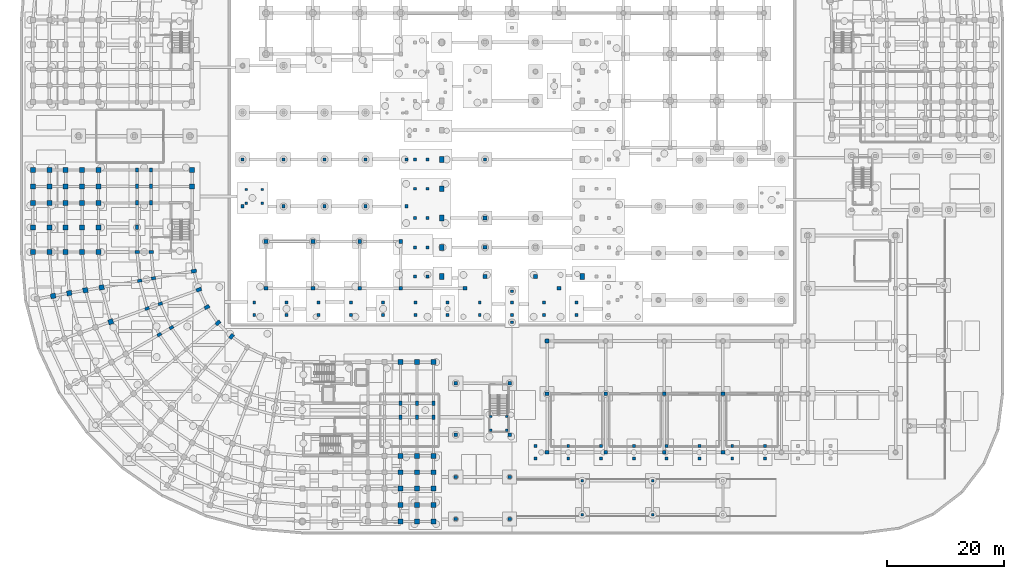
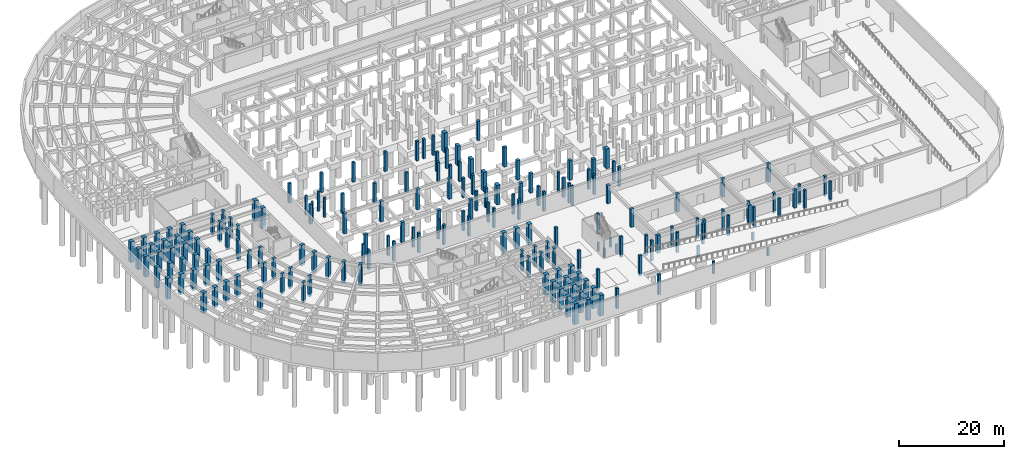
# One storey, part 13 of 53: 186 columns.
"""IFC4 building model written with IfcOpenShell, lengths in metres."""

import ifcopenshell
import ifcopenshell.guid

model = None  # the IFC model being written
_history = None  # IfcOwnerHistory: only IFC2X3 demands one
_inside = {}  # id of a spatial element -> (the spatial element, [elements in it])
_under = {}  # id of a project, library or spatial element -> (it, [spatial elements below it])
_declared = {}  # id of a project -> (the project, [libraries it declares])
_typed = {}  # id of a type object -> (the type object, [elements of that type])
_made_of = {}  # id of a material, layer set ... -> (it, [elements and type objects made of it])


def new_model(schema):
    """Start an empty IFC model of exactly this schema.

    Asked for "IFC4X3", IfcOpenShell would pick the latest addendum, in which some entities
    have other attributes; the version numbers below select the first issue.
    IFC2X3 requires an IfcOwnerHistory on every rooted entity: one is made here for all.
    """
    global model, _history
    if schema == "IFC4X3":
        model = ifcopenshell.file(schema_version=(4, 3, 0, 0))
    else:
        model = ifcopenshell.file(schema=schema)
    _inside.clear()
    _under.clear()
    _declared.clear()
    _typed.clear()
    _made_of.clear()
    _history = None
    if model.schema == "IFC2X3":
        org = make("IfcOrganization", Name="unknown")
        user = make(
            "IfcPersonAndOrganization",
            ThePerson=make("IfcPerson", FamilyName="unknown"),
            TheOrganization=org,
        )
        app = make(
            "IfcApplication",
            ApplicationDeveloper=org,
            Version="unknown",
            ApplicationFullName="unknown",
            ApplicationIdentifier="unknown",
        )
        _history = make(
            "IfcOwnerHistory",
            OwningUser=user,
            OwningApplication=app,
            ChangeAction="ADDED",
            CreationDate=0,
        )
    return model


def make(cls, **values):
    """One entity of the class cls with the attributes given. An attribute that is None is left unset."""
    return model.create_entity(
        cls, **{name: value for name, value in values.items() if value is not None}
    )


def rooted(cls, **values):
    """An entity with a GlobalId (a new one), such as an element, a storey or a relation."""
    return make(cls, GlobalId=ifcopenshell.guid.new(), OwnerHistory=_history, **values)


def si_unit(unit_type, name, prefix=None):
    """IfcSIUnit, for example si_unit("LENGTHUNIT", "METRE", prefix="MILLI")."""
    return make("IfcSIUnit", UnitType=unit_type, Prefix=prefix, Name=name)


def assignment(units):
    """IfcUnitAssignment: the units of a project."""
    return None if units is None else make("IfcUnitAssignment", Units=units)


def point(xyz):
    """IfcCartesianPoint."""
    return None if xyz is None else make("IfcCartesianPoint", Coordinates=xyz)


def direction(xyz):
    """IfcDirection."""
    return None if xyz is None else make("IfcDirection", DirectionRatios=xyz)


def frame(location, z_axis=None, x_axis=None):
    """IfcAxis2Placement3D, a coordinate frame: its origin and axes. An axis left out is left unset."""
    return make(
        "IfcAxis2Placement3D",
        Location=point(location),
        Axis=direction(z_axis),
        RefDirection=direction(x_axis),
    )


def frame_2d(location, x_axis=None):
    """IfcAxis2Placement2D, a coordinate frame in the plane: its origin and x axis."""
    return make(
        "IfcAxis2Placement2D", Location=point(location), RefDirection=direction(x_axis)
    )


def origin():
    """The frame at (0, 0, 0) with its axes left unset."""
    return frame((0.0, 0.0, 0.0))


def origin_2d():
    """The frame at (0, 0) in the plane with its x axis left unset."""
    return frame_2d((0.0, 0.0))


def place(relative_to, where):
    """IfcLocalPlacement: puts the frame where relative to a parent placement (None: the world)."""
    return make(
        "IfcLocalPlacement", PlacementRelTo=relative_to, RelativePlacement=where
    )


def context(
    kind, dimensions, precision=None, world=None, true_north=None, identifier=None
):
    """IfcGeometricRepresentationContext, for example the 3D "Model" context."""
    return make(
        "IfcGeometricRepresentationContext",
        ContextIdentifier=identifier,
        ContextType=kind,
        CoordinateSpaceDimension=dimensions,
        Precision=precision,
        WorldCoordinateSystem=world,
        TrueNorth=true_north,
    )


def subcontext(parent, identifier, kind, view, scale=None):
    """IfcGeometricRepresentationSubContext, for example "Body" below "Model"."""
    return make(
        "IfcGeometricRepresentationSubContext",
        ContextIdentifier=identifier,
        ContextType=kind,
        ParentContext=parent,
        TargetScale=scale,
        TargetView=view,
    )


def project(units=None, contexts=None):
    """IfcProject with its units and contexts."""
    return rooted(
        "IfcProject",
        Name="project",
        RepresentationContexts=contexts,
        UnitsInContext=assignment(units),
    )


def spatial(cls, under=None, at=None, **own):
    """A site, building, storey or space (cls), placed at a placement, below another one or the project."""
    s = rooted(cls, ObjectPlacement=at, **own)
    if under is not None:
        _under.setdefault(under.id(), (under, []))[1].append(s)
    return s


def profile(cls, at=None, kind="AREA", **sizes):
    """A parametric profile (cls). Its sizes go by their IFC names, for example OverallWidth=200.0."""
    return make(cls, ProfileType=kind, Position=at, **sizes)


def rectangle(**sizes):
    """IfcRectangleProfileDef."""
    return profile("IfcRectangleProfileDef", **sizes)


def extrude(swept, where, along, depth):
    """IfcExtrudedAreaSolid: the profile swept, set in the frame where, extruded along a direction by depth."""
    return make(
        "IfcExtrudedAreaSolid",
        SweptArea=swept,
        Position=where,
        ExtrudedDirection=direction(along),
        Depth=depth,
    )


def shape(context_of_items, identifier, shape_type, items):
    """IfcShapeRepresentation: the items that make up one representation, for example the "Body"."""
    return make(
        "IfcShapeRepresentation",
        ContextOfItems=context_of_items,
        RepresentationIdentifier=identifier,
        RepresentationType=shape_type,
        Items=items,
    )


def material(Name=None, Category=None):
    """IfcMaterial."""
    return make("IfcMaterial", Name=Name, Category=Category)


def material_profile(
    of_material, cross_section, Name=None, Category=None, Priority=None
):
    """IfcMaterialProfile: a cross section and its material."""
    return make(
        "IfcMaterialProfile",
        Name=Name,
        Material=of_material,
        Profile=cross_section,
        Priority=Priority,
        Category=Category,
    )


def profile_set(profiles, Name=None, composite=None):
    """IfcMaterialProfileSet."""
    return make(
        "IfcMaterialProfileSet",
        Name=Name,
        MaterialProfiles=profiles,
        CompositeProfile=composite,
    )


def made_of(thing, what):
    """Note that an element or type object is made of a material, layer set ...; save() writes the relation."""
    if what is not None:
        _made_of.setdefault(what.id(), (what, []))[1].append(thing)
    return thing


def type_object(cls, material=None, **own):
    """A type object (cls), such as IfcWallType, which elements share."""
    return made_of(rooted(cls, **own), material)


def element(
    cls,
    number,
    at=None,
    inside=None,
    cuts=None,
    type_object=None,
    material=None,
    context=None,
    identifier="Body",
    shape_type=None,
    held_by="IfcProductDefinitionShape",
    body=None,
    shapes=None,
    **own,
):
    """One element of the class cls, such as IfcWall. Its Tag is "e" and its number.

    at: its placement. inside: the storey or other place that contains it. cuts: it is an
    opening in that element (IfcRelVoidsElement). A single representation is given by context,
    identifier, shape_type and body (its items); several are given by shapes. held_by: the class
    of the entity that holds the representations. save() writes the other relations.
    """
    e = rooted(cls, Tag="e%d" % number, ObjectPlacement=at, **own)
    if body is not None:
        shapes = [shape(context, identifier, shape_type, body)]
    if shapes is not None:
        e.Representation = make(held_by, Representations=shapes)
    if inside is not None:
        _inside.setdefault(inside.id(), (inside, []))[1].append(e)
    if cuts is not None:
        rooted(
            "IfcRelVoidsElement", RelatingBuildingElement=cuts, RelatedOpeningElement=e
        )
    if type_object is not None:
        _typed.setdefault(type_object.id(), (type_object, []))[1].append(e)
    return made_of(e, material)


def aggregate(whole, parts):
    """IfcRelAggregates: a whole, such as a stair, and the parts it consists of."""
    return rooted("IfcRelAggregates", RelatingObject=whole, RelatedObjects=parts)


def save(model, path):
    """Write the relations noted so far, then the file.

    IfcRelAggregates (storeys below a building ...), IfcRelContainedInSpatialStructure (elements
    in a storey), IfcRelDefinesByType, IfcRelAssociatesMaterial and IfcRelDeclares: one each for
    every whole, place, type object, material and project.
    """
    for whole, parts in _under.values():
        aggregate(whole, parts)
    for where, things in _inside.values():
        rooted(
            "IfcRelContainedInSpatialStructure",
            RelatedElements=things,
            RelatingStructure=where,
        )
    for kind, things in _typed.values():
        rooted("IfcRelDefinesByType", RelatedObjects=things, RelatingType=kind)
    for what, things in _made_of.values():
        rooted("IfcRelAssociatesMaterial", RelatedObjects=things, RelatingMaterial=what)
    for by, libraries in _declared.values():
        rooted("IfcRelDeclares", RelatingContext=by, RelatedDefinitions=libraries)
    model.write(path)


model = new_model("IFC4")

# Units and contexts
model_context = context("Model", 3, precision=1e-05, world=origin(), true_north=direction((0.0, 1.0)))
body_context = subcontext(model_context, "Body", "Model", "MODEL_VIEW")
ifc_project = project(units=[si_unit("LENGTHUNIT", "METRE"), si_unit("AREAUNIT", "SQUARE_METRE"), si_unit("VOLUMEUNIT", "CUBIC_METRE"), si_unit("PLANEANGLEUNIT", "RADIAN"), si_unit("MASSUNIT", "GRAM", prefix="KILO")], contexts=[model_context])

# Site, building, storey
site_placement = place(None, origin())
site = spatial("IfcSite", under=ifc_project, at=site_placement, CompositionType="ELEMENT")
building_placement = place(site_placement, origin())
building = spatial("IfcBuilding", under=site, at=building_placement, Name="Kiranvali Square Residences", CompositionType="ELEMENT")
storey_placement = place(building_placement, frame((0.0, 0.0, -4.5)))
storey = spatial("IfcBuildingStorey", under=building, at=storey_placement, Name="B1", CompositionType="ELEMENT", Elevation=-4.5)

# Columns
ifc_material_1 = material(Name="Concrete M40 (40 MPa)", Category="concrete")
ifc_material_profile_1 = material_profile(ifc_material_1, rectangle(XDim=0.39990234375, YDim=0.39990234375, at=origin_2d()), Name="RC 400x400")
ifc_profile_set_1 = profile_set([ifc_material_profile_1], Name="Concrete M40 (40 MPa)")
column_type_1 = type_object("IfcColumnType", Name="COL-M40-400", PredefinedType="COLUMN", material=ifc_profile_set_1)
for number, where, z_axis, x_axis, name in (
    (1, (38.64990234375, 56.550048828125, -0.5), (0.0, 0.0, 1.0), (1.0, 0.0, 0.0), "ST-NR1 B1 substructure support column 1"),
    (2, (41.35009765625, 56.550048828125, -0.5), (0.0, 0.0, 1.0), (1.0, 0.0, 0.0), "ST-NR1 B1 substructure support column 2"),
    (3, (38.64990234375, 58.8798828125, -0.5), (0.0, 0.0, 1.0), (1.0, 0.0, 0.0), "ST-NR1 B1 substructure support column 3"),
    (4, (41.35009765625, 58.8798828125, -0.5), (0.0, 0.0, 1.0), (1.0, 0.0, 0.0), "ST-NR1 B1 substructure support column 4"),
):
    element("IfcColumn", number, at=place(storey_placement, frame(where, z_axis=z_axis, x_axis=x_axis)), inside=storey, type_object=column_type_1, Name=name, PredefinedType="COLUMN", context=body_context, shape_type="SweptSolid", body=[
        extrude(rectangle(XDim=0.39990234375, YDim=0.39990234375, at=origin_2d()), origin(), (0.0, 0.0, 1.0), 4.550048828125),
    ])
for number, where, z_axis, x_axis, name in (
    (5, (80.39990234375, 17.800048828125, 0.0), (0.0, 0.0, 1.0), (1.0, 0.0, 0.0), "ST-P1 mid-landing support column 1"),
    (6, (83.10009765625, 17.800048828125, 0.0), (0.0, 0.0, 1.0), (1.0, 0.0, 0.0), "ST-P1 mid-landing support column 2"),
    (7, (80.39990234375, 20.1298828125, 0.0), (0.0, 0.0, 1.0), (1.0, 0.0, 0.0), "ST-P1 mid-landing support column 3"),
    (8, (83.10009765625, 20.1298828125, 0.0), (0.0, 0.0, 1.0), (1.0, 0.0, 0.0), "ST-P1 mid-landing support column 4"),
):
    element("IfcColumn", number, at=place(storey_placement, frame(where, z_axis=z_axis, x_axis=x_axis)), inside=storey, type_object=column_type_1, Name=name, PredefinedType="COLUMN", context=body_context, shape_type="SweptSolid", body=[
        extrude(rectangle(XDim=0.39990234375, YDim=0.39990234375, at=origin_2d()), origin(), (0.0, 0.0, 1.0), 2.050048828125),
    ])
ifc_material_profile_2 = material_profile(ifc_material_1, rectangle(XDim=0.449951171875, YDim=0.449951171875, at=origin_2d()), Name="RC 450x450")
ifc_profile_set_2 = profile_set([ifc_material_profile_2], Name="Concrete M40 (40 MPa)")
column_type_2 = type_object("IfcColumnType", Name="COL-M40-450", PredefinedType="COLUMN", material=ifc_profile_set_2)
for number, where, z_axis, x_axis, name in (
    (9, (96.0, 3.35009765625, -0.5), (0.0, 0.0, 1.0), (1.0, 0.0, 0.0), "Vehicular ramp VR-1 support column 1S"),
    (10, (96.0, 9.14990234375, -0.5), (0.0, 0.0, 1.0), (1.0, 0.0, 0.0), "Vehicular ramp VR-1 support column 1N"),
):
    element("IfcColumn", number, at=place(storey_placement, frame(where, z_axis=z_axis, x_axis=x_axis)), inside=storey, type_object=column_type_2, Name=name, PredefinedType="COLUMN", context=body_context, shape_type="SweptSolid", body=[
        extrude(rectangle(XDim=0.449951171875, YDim=0.449951171875, at=origin_2d()), origin(), (0.0, 0.0, 1.0), 2.969970703125),
    ])
for number, where, z_axis, x_axis, name in (
    (11, (108.0, 3.35009765625, -0.5), (0.0, 0.0, 1.0), (1.0, 0.0, 0.0), "Vehicular ramp VR-1 support column 2S"),
    (12, (108.0, 9.14990234375, -0.5), (0.0, 0.0, 1.0), (1.0, 0.0, 0.0), "Vehicular ramp VR-1 support column 2N"),
):
    element("IfcColumn", number, at=place(storey_placement, frame(where, z_axis=z_axis, x_axis=x_axis)), inside=storey, type_object=column_type_2, Name=name, PredefinedType="COLUMN", context=body_context, shape_type="SweptSolid", body=[
        extrude(rectangle(XDim=0.449951171875, YDim=0.449951171875, at=origin_2d()), origin(), (0.0, 0.0, 1.0), 1.77001953125),
    ])
for number, where, z_axis, x_axis, name in (
    (13, (84.0, 41.5, -0.5), (0.0, 0.0, 1.0), (1.0, 0.0, 0.0), "Courtyard ramp substructure column 1"),
    (14, (84.0, 36.199951171875, -0.5), (0.0, 0.0, 1.0), (1.0, 0.0, 0.0), "Courtyard ramp substructure column 5"),
):
    element("IfcColumn", number, at=place(storey_placement, frame(where, z_axis=z_axis, x_axis=x_axis)), inside=storey, type_object=column_type_2, Name=name, PredefinedType="COLUMN", context=body_context, shape_type="SweptSolid", body=[
        extrude(rectangle(XDim=0.449951171875, YDim=0.449951171875, at=origin_2d()), origin(), (0.0, 0.0, 1.0), 4.699951171875),
    ])
ifc_material_profile_3 = material_profile(ifc_material_1, rectangle(XDim=0.5, YDim=0.5, at=origin_2d()), Name="RC 500x500")
ifc_profile_set_3 = profile_set([ifc_material_profile_3], Name="Concrete M40 (40 MPa)")
column_type_3 = type_object("IfcColumnType", Name="COL-M40-500", PredefinedType="COLUMN", material=ifc_profile_set_3)
for number, where, z_axis, x_axis, name in (
    (15, (88.0, 12.949951171875, -0.5), (0.0, 0.0, 1.0), (1.0, 0.0, 0.0), "Square colonnade B1 outer support column 1A"),
    (16, (88.0, 15.050048828125, -0.5), (0.0, 0.0, 1.0), (1.0, 0.0, 0.0), "Square colonnade B1 inner support column 1B"),
    (17, (93.60009765625, 12.949951171875, -0.5), (0.0, 0.0, 1.0), (1.0, 0.0, 0.0), "Square colonnade B1 outer support column 2A"),
    (18, (93.60009765625, 15.050048828125, -0.5), (0.0, 0.0, 1.0), (1.0, 0.0, 0.0), "Square colonnade B1 inner support column 2B"),
    (19, (99.199951171875, 12.949951171875, -0.5), (0.0, 0.0, 1.0), (1.0, 0.0, 0.0), "Square colonnade B1 outer support column 3A"),
    (20, (99.199951171875, 15.050048828125, -0.5), (0.0, 0.0, 1.0), (1.0, 0.0, 0.0), "Square colonnade B1 inner support column 3B"),
    (21, (104.800048828125, 12.949951171875, -0.5), (0.0, 0.0, 1.0), (1.0, 0.0, 0.0), "Square colonnade B1 outer support column 4A"),
    (22, (104.800048828125, 15.050048828125, -0.5), (0.0, 0.0, 1.0), (1.0, 0.0, 0.0), "Square colonnade B1 inner support column 4B"),
    (23, (110.39990234375, 12.949951171875, -0.5), (0.0, 0.0, 1.0), (1.0, 0.0, 0.0), "Square colonnade B1 outer support column 5A"),
    (24, (110.39990234375, 15.050048828125, -0.5), (0.0, 0.0, 1.0), (1.0, 0.0, 0.0), "Square colonnade B1 inner support column 5B"),
    (25, (116.0, 12.949951171875, -0.5), (0.0, 0.0, 1.0), (1.0, 0.0, 0.0), "Square colonnade B1 outer support column 6A"),
    (26, (116.0, 15.050048828125, -0.5), (0.0, 0.0, 1.0), (1.0, 0.0, 0.0), "Square colonnade B1 inner support column 6B"),
    (27, (121.60009765625, 12.949951171875, -0.5), (0.0, 0.0, 1.0), (1.0, 0.0, 0.0), "Square colonnade B1 outer support column 7A"),
    (28, (121.60009765625, 15.050048828125, -0.5), (0.0, 0.0, 1.0), (1.0, 0.0, 0.0), "Square colonnade B1 inner support column 7B"),
    (29, (127.199951171875, 12.949951171875, -0.5), (0.0, 0.0, 1.0), (1.0, 0.0, 0.0), "Square colonnade B1 outer support column 8A"),
    (30, (127.199951171875, 15.050048828125, -0.5), (0.0, 0.0, 1.0), (1.0, 0.0, 0.0), "Square colonnade B1 inner support column 8B"),
):
    element("IfcColumn", number, at=place(storey_placement, frame(where, z_axis=z_axis, x_axis=x_axis)), inside=storey, type_object=column_type_3, Name=name, PredefinedType="COLUMN", context=body_context, shape_type="SweptSolid", body=[
        extrude(rectangle(XDim=0.5, YDim=0.5, at=origin_2d()), origin(), (0.0, 0.0, 1.0), 4.699951171875),
    ])
for number, where, z_axis, x_axis, name in (
    (31, (40.0, 37.449951171875, -0.5), (0.0, 0.0, 1.0), (1.0, 0.0, 0.0), "Garden colonnade B1 outer support column ARC-GDN-S-1A"),
    (32, (40.0, 39.550048828125, -0.5), (0.0, 0.0, 1.0), (1.0, 0.0, 0.0), "Garden colonnade B1 inner support column ARC-GDN-S-1B"),
    (33, (45.5, 37.449951171875, -0.5), (0.0, 0.0, 1.0), (1.0, 0.0, 0.0), "Garden colonnade B1 outer support column ARC-GDN-S-2A"),
    (34, (45.5, 39.550048828125, -0.5), (0.0, 0.0, 1.0), (1.0, 0.0, 0.0), "Garden colonnade B1 inner support column ARC-GDN-S-2B"),
    (35, (51.0, 37.449951171875, -0.5), (0.0, 0.0, 1.0), (1.0, 0.0, 0.0), "Garden colonnade B1 outer support column ARC-GDN-S-3A"),
    (36, (51.0, 39.550048828125, -0.5), (0.0, 0.0, 1.0), (1.0, 0.0, 0.0), "Garden colonnade B1 inner support column ARC-GDN-S-3B"),
    (37, (56.5, 37.449951171875, -0.5), (0.0, 0.0, 1.0), (1.0, 0.0, 0.0), "Garden colonnade B1 outer support column ARC-GDN-S-4A"),
    (38, (56.5, 39.550048828125, -0.5), (0.0, 0.0, 1.0), (1.0, 0.0, 0.0), "Garden colonnade B1 inner support column ARC-GDN-S-4B"),
    (39, (62.0, 37.449951171875, -0.5), (0.0, 0.0, 1.0), (1.0, 0.0, 0.0), "Garden colonnade B1 outer support column ARC-GDN-S-5A"),
    (40, (62.0, 39.550048828125, -0.5), (0.0, 0.0, 1.0), (1.0, 0.0, 0.0), "Garden colonnade B1 inner support column ARC-GDN-S-5B"),
    (41, (67.5, 37.449951171875, -0.5), (0.0, 0.0, 1.0), (1.0, 0.0, 0.0), "Garden colonnade B1 outer support column ARC-GDN-S-6A"),
    (42, (67.5, 39.550048828125, -0.5), (0.0, 0.0, 1.0), (1.0, 0.0, 0.0), "Garden colonnade B1 inner support column ARC-GDN-S-6B"),
    (43, (73.0, 37.449951171875, -0.5), (0.0, 0.0, 1.0), (1.0, 0.0, 0.0), "Garden colonnade B1 outer support column ARC-GDN-S-7A"),
    (44, (73.0, 39.550048828125, -0.5), (0.0, 0.0, 1.0), (1.0, 0.0, 0.0), "Garden colonnade B1 inner support column ARC-GDN-S-7B"),
    (45, (78.5, 37.449951171875, -0.5), (0.0, 0.0, 1.0), (1.0, 0.0, 0.0), "Garden colonnade B1 outer support column ARC-GDN-S-8A"),
    (46, (78.5, 39.550048828125, -0.5), (0.0, 0.0, 1.0), (1.0, 0.0, 0.0), "Garden colonnade B1 inner support column ARC-GDN-S-8B"),
    (47, (84.0, 37.449951171875, -0.5), (0.0, 0.0, 1.0), (1.0, 0.0, 0.0), "Garden colonnade B1 outer support column ARC-GDN-S-9A"),
    (48, (84.0, 39.550048828125, -0.5), (0.0, 0.0, 1.0), (1.0, 0.0, 0.0), "Garden colonnade B1 inner support column ARC-GDN-S-9B"),
    (49, (89.5, 37.449951171875, -0.5), (0.0, 0.0, 1.0), (1.0, 0.0, 0.0), "Garden colonnade B1 outer support column ARC-GDN-S-10A"),
    (50, (89.5, 39.550048828125, -0.5), (0.0, 0.0, 1.0), (1.0, 0.0, 0.0), "Garden colonnade B1 inner support column ARC-GDN-S-10B"),
    (51, (95.0, 37.449951171875, -0.5), (0.0, 0.0, 1.0), (1.0, 0.0, 0.0), "Garden colonnade B1 outer support column ARC-GDN-S-11A"),
    (52, (95.0, 39.550048828125, -0.5), (0.0, 0.0, 1.0), (1.0, 0.0, 0.0), "Garden colonnade B1 inner support column ARC-GDN-S-11B"),
    (53, (67.449951171875, 44.0, -0.5), (0.0, 0.0, 1.0), (1.0, 0.0, 0.0), "Garden colonnade B1 outer support column ARC-GDN-W-1A"),
    (54, (69.550048828125, 44.0, -0.5), (0.0, 0.0, 1.0), (1.0, 0.0, 0.0), "Garden colonnade B1 inner support column ARC-GDN-W-1B"),
    (55, (67.449951171875, 49.0, -0.5), (0.0, 0.0, 1.0), (1.0, 0.0, 0.0), "Garden colonnade B1 outer support column ARC-GDN-W-2A"),
    (56, (69.550048828125, 49.0, -0.5), (0.0, 0.0, 1.0), (1.0, 0.0, 0.0), "Garden colonnade B1 inner support column ARC-GDN-W-2B"),
    (57, (67.449951171875, 54.0, -0.5), (0.0, 0.0, 1.0), (1.0, 0.0, 0.0), "Garden colonnade B1 outer support column ARC-GDN-W-3A"),
    (58, (69.550048828125, 54.0, -0.5), (0.0, 0.0, 1.0), (1.0, 0.0, 0.0), "Garden colonnade B1 inner support column ARC-GDN-W-3B"),
    (59, (67.449951171875, 59.0, -0.5), (0.0, 0.0, 1.0), (1.0, 0.0, 0.0), "Garden colonnade B1 outer support column ARC-GDN-W-4A"),
    (60, (69.550048828125, 59.0, -0.5), (0.0, 0.0, 1.0), (1.0, 0.0, 0.0), "Garden colonnade B1 inner support column ARC-GDN-W-4B"),
    (61, (67.449951171875, 64.0, -0.5), (0.0, 0.0, 1.0), (1.0, 0.0, 0.0), "Garden colonnade B1 outer support column ARC-GDN-W-5A"),
    (62, (69.550048828125, 64.0, -0.5), (0.0, 0.0, 1.0), (1.0, 0.0, 0.0), "Garden colonnade B1 inner support column ARC-GDN-W-5B"),
):
    element("IfcColumn", number, at=place(storey_placement, frame(where, z_axis=z_axis, x_axis=x_axis)), inside=storey, type_object=column_type_3, Name=name, PredefinedType="COLUMN", context=body_context, shape_type="SweptSolid", body=[
        extrude(rectangle(XDim=0.5, YDim=0.5, at=origin_2d()), origin(), (0.0, 0.0, 1.0), 4.550048828125),
    ])
ifc_material_profile_4 = material_profile(ifc_material_1, rectangle(XDim=0.550048828125, YDim=0.550048828125, at=origin_2d()), Name="RC 550x550")
ifc_profile_set_4 = profile_set([ifc_material_profile_4], Name="Concrete M40 (40 MPa)")
column_type_4 = type_object("IfcColumnType", Name="COL-M40-550", PredefinedType="COLUMN", material=ifc_profile_set_4)
for number, where, z_axis, x_axis, name in (
    (63, (79.39990234375, 64.0, -0.5), (0.0, 0.0, 1.0), (1.0, 0.0, 0.0), "Community Hall walkway substructure column mid"),
    (64, (38.0, 56.0, -0.5), (0.0, 0.0, 1.0), (1.0, 0.0, 0.0), "Nursery Pavilion B1 substructure column 0-0"),
    (65, (38.0, 64.0, -0.5), (0.0, 0.0, 1.0), (1.0, 0.0, 0.0), "Nursery Pavilion B1 substructure column 0-1"),
    (66, (45.0, 56.0, -0.5), (0.0, 0.0, 1.0), (1.0, 0.0, 0.0), "Nursery Pavilion B1 substructure column 1-0"),
    (67, (45.0, 64.0, -0.5), (0.0, 0.0, 1.0), (1.0, 0.0, 0.0), "Nursery Pavilion B1 substructure column 1-1"),
    (68, (52.0, 56.0, -0.5), (0.0, 0.0, 1.0), (1.0, 0.0, 0.0), "Nursery Pavilion B1 substructure column 2-0"),
    (69, (52.0, 64.0, -0.5), (0.0, 0.0, 1.0), (1.0, 0.0, 0.0), "Nursery Pavilion B1 substructure column 2-1"),
    (70, (59.0, 56.0, -0.5), (0.0, 0.0, 1.0), (1.0, 0.0, 0.0), "Nursery Pavilion B1 substructure column 3-0"),
    (71, (59.0, 64.0, -0.5), (0.0, 0.0, 1.0), (1.0, 0.0, 0.0), "Nursery Pavilion B1 substructure column 3-1"),
    (72, (66.0, 56.0, -0.5), (0.0, 0.0, 1.0), (1.0, 0.0, 0.0), "Nursery Pavilion B1 substructure column 4-0"),
    (73, (66.0, 64.0, -0.5), (0.0, 0.0, 1.0), (1.0, 0.0, 0.0), "Nursery Pavilion B1 substructure column 4-1"),
):
    element("IfcColumn", number, at=place(storey_placement, frame(where, z_axis=z_axis, x_axis=x_axis)), inside=storey, type_object=column_type_4, Name=name, PredefinedType="COLUMN", context=body_context, shape_type="SweptSolid", body=[
        extrude(rectangle(XDim=0.550048828125, YDim=0.550048828125, at=origin_2d()), origin(), (0.0, 0.0, 1.0), 4.550048828125),
    ])
for number, where, z_axis, x_axis, name in (
    (74, (74.39990234375, 2.60009765625, -0.5), (0.0, 0.0, 1.0), (1.0, 0.0, 0.0), "South Boulevard Ramp and Arcade Portal substructure column 1.1"),
    (75, (83.60009765625, 2.60009765625, -0.5), (0.0, 0.0, 1.0), (1.0, 0.0, 0.0), "South Boulevard Ramp and Arcade Portal substructure column 1.2"),
    (76, (74.39990234375, 9.800048828125, -0.5), (0.0, 0.0, 1.0), (1.0, 0.0, 0.0), "South Boulevard Ramp and Arcade Portal substructure column 2.1"),
    (77, (83.60009765625, 9.800048828125, -0.5), (0.0, 0.0, 1.0), (1.0, 0.0, 0.0), "South Boulevard Ramp and Arcade Portal substructure column 2.2"),
    (78, (74.39990234375, 17.0, -0.5), (0.0, 0.0, 1.0), (1.0, 0.0, 0.0), "South Boulevard Ramp and Arcade Portal substructure column 3.1"),
    (79, (83.60009765625, 17.0, -0.5), (0.0, 0.0, 1.0), (1.0, 0.0, 0.0), "South Boulevard Ramp and Arcade Portal substructure column 3.2"),
    (80, (74.39990234375, 25.800048828125, -0.5), (0.0, 0.0, 1.0), (1.0, 0.0, 0.0), "South Boulevard Ramp and Arcade Portal substructure column 4.1"),
    (81, (83.60009765625, 25.800048828125, -0.5), (0.0, 0.0, 1.0), (1.0, 0.0, 0.0), "South Boulevard Ramp and Arcade Portal substructure column 4.2"),
):
    element("IfcColumn", number, at=place(storey_placement, frame(where, z_axis=z_axis, x_axis=x_axis)), inside=storey, type_object=column_type_4, Name=name, PredefinedType="COLUMN", context=body_context, shape_type="SweptSolid", body=[
        extrude(rectangle(XDim=0.550048828125, YDim=0.550048828125, at=origin_2d()), origin(), (0.0, 0.0, 1.0), 4.699951171875),
    ])
ifc_material_2 = material(Name="Concrete M45 (45 MPa)", Category="concrete")
ifc_material_profile_5 = material_profile(ifc_material_2, rectangle(XDim=0.699951171875, YDim=1.0, at=origin_2d()), Name="RC 1000x700")
ifc_profile_set_5 = profile_set([ifc_material_profile_5], Name="Concrete M45 (45 MPa)")
column_type_5 = type_object("IfcColumnType", Name="COL-M45-1000x700", PredefinedType="COLUMN", material=ifc_profile_set_5)
for number, where, z_axis, x_axis, name in (
    (82, (72.0, 44.0, -0.5), (0.0, 0.0, 1.0), (1.0, 0.0, 0.0), "Community Hall substructure pier W1 B1"),
    (83, (96.0, 44.0, -0.5), (0.0, 0.0, 1.0), (1.0, 0.0, 0.0), "Community Hall substructure pier E1 B1"),
    (84, (72.0, 49.0, -0.5), (0.0, 0.0, 1.0), (1.0, 0.0, 0.0), "Community Hall substructure pier W2 B1"),
    (85, (72.0, 54.0, -0.5), (0.0, 0.0, 1.0), (1.0, 0.0, 0.0), "Community Hall substructure pier W3 B1"),
    (86, (72.0, 59.0, -0.5), (0.0, 0.0, 1.0), (1.0, 0.0, 0.0), "Community Hall substructure pier W4 B1"),
    (87, (72.0, 64.0, -0.5), (0.0, 0.0, 1.0), (1.0, 0.0, 0.0), "Community Hall substructure pier W5 B1"),
):
    element("IfcColumn", number, at=place(storey_placement, frame(where, z_axis=z_axis, x_axis=x_axis)), inside=storey, type_object=column_type_5, Name=name, PredefinedType="COLUMN", context=body_context, shape_type="SweptSolid", body=[
        extrude(rectangle(XDim=0.699951171875, YDim=1.0, at=origin_2d()), origin(), (0.0, 0.0, 1.0), 4.550048828125),
    ])
ifc_material_profile_6 = material_profile(ifc_material_2, rectangle(XDim=0.64990234375, YDim=0.64990234375, at=origin_2d()), Name="RC 650x650")
ifc_profile_set_6 = profile_set([ifc_material_profile_6], Name="Concrete M45 (45 MPa)")
column_type_6 = type_object("IfcColumnType", Name="COL-M45-650", PredefinedType="COLUMN", material=ifc_profile_set_6)
for number, where, z_axis, x_axis, name in (
    (88, (90.0, 14.0, 0.0), (0.0, 0.0, 1.0), (1.0, 0.0, 0.0), "Basement square substructure column APR-19"),
    (89, (100.0, 14.0, 0.0), (0.0, 0.0, 1.0), (1.0, 0.0, 0.0), "Basement square substructure column APR-20"),
    (90, (110.0, 14.0, 0.0), (0.0, 0.0, 1.0), (1.0, 0.0, 0.0), "Basement square substructure column APR-21"),
    (91, (120.0, 14.0, 0.0), (0.0, 0.0, 1.0), (1.0, 0.0, 0.0), "Basement square substructure column APR-22"),
    (92, (90.0, 24.0, 0.0), (0.0, 0.0, 1.0), (1.0, 0.0, 0.0), "Basement square substructure column APR-26"),
    (93, (100.0, 24.0, 0.0), (0.0, 0.0, 1.0), (1.0, 0.0, 0.0), "Basement square substructure column APR-27"),
    (94, (110.0, 24.0, 0.0), (0.0, 0.0, 1.0), (1.0, 0.0, 0.0), "Basement square substructure column APR-28"),
    (95, (120.0, 24.0, 0.0), (0.0, 0.0, 1.0), (1.0, 0.0, 0.0), "Basement square substructure column APR-29"),
    (96, (90.0, 33.0, 0.0), (0.0, 0.0, 1.0), (1.0, 0.0, 0.0), "Basement square substructure column APR-33"),
):
    element("IfcColumn", number, at=place(storey_placement, frame(where, z_axis=z_axis, x_axis=x_axis)), inside=storey, type_object=column_type_6, Name=name, PredefinedType="COLUMN", context=body_context, shape_type="SweptSolid", body=[
        extrude(rectangle(XDim=0.64990234375, YDim=0.64990234375, at=origin_2d()), origin(), (0.0, 0.0, 1.0), 4.199951171875),
    ])
for number, where, z_axis, x_axis, name in (
    (97, (42.0, 42.0, -0.5), (0.0, 0.0, 1.0), (1.0, 0.0, 0.0), "Central garden deck substructure column GDN-01"),
    (98, (42.0, 50.0, -0.5), (0.0, 0.0, 1.0), (1.0, 0.0, 0.0), "Central garden deck substructure column GDN-02"),
    (99, (50.0, 42.0, -0.5), (0.0, 0.0, 1.0), (1.0, 0.0, 0.0), "Central garden deck substructure column GDN-06"),
    (100, (50.0, 50.0, -0.5), (0.0, 0.0, 1.0), (1.0, 0.0, 0.0), "Central garden deck substructure column GDN-07"),
    (101, (58.0, 42.0, -0.5), (0.0, 0.0, 1.0), (1.0, 0.0, 0.0), "Central garden deck substructure column GDN-11"),
    (102, (58.0, 50.0, -0.5), (0.0, 0.0, 1.0), (1.0, 0.0, 0.0), "Central garden deck substructure column GDN-12"),
    (103, (65.0, 42.0, -0.5), (0.0, 0.0, 1.0), (1.0, 0.0, 0.0), "Central garden deck substructure column GDN-16"),
    (104, (65.0, 50.0, -0.5), (0.0, 0.0, 1.0), (1.0, 0.0, 0.0), "Central garden deck substructure column GDN-17"),
    (105, (76.0, 42.0, -0.5), (0.0, 0.0, 1.0), (1.0, 0.0, 0.0), "Central garden deck substructure column GDN-21"),
    (106, (92.0, 42.0, -0.5), (0.0, 0.0, 1.0), (1.0, 0.0, 0.0), "Central garden deck substructure column GDN-26"),
):
    element("IfcColumn", number, at=place(storey_placement, frame(where, z_axis=z_axis, x_axis=x_axis)), inside=storey, type_object=column_type_6, Name=name, PredefinedType="COLUMN", context=body_context, shape_type="SweptSolid", body=[
        extrude(rectangle(XDim=0.64990234375, YDim=0.64990234375, at=origin_2d()), origin(), (0.0, 0.0, 1.0), 4.699951171875),
    ])
for number, where, z_axis, x_axis, name in (
    (107, (79.39990234375, 44.0, -0.5), (0.0, 0.0, 1.0), (1.0, 0.0, 0.0), "Community Hall gallery substructure column 79.4-44.0"),
    (108, (88.0, 44.0, -0.5), (0.0, 0.0, 1.0), (1.0, 0.0, 0.0), "Community Hall gallery substructure column 88.0-44.0"),
    (109, (79.39990234375, 49.0, -0.5), (0.0, 0.0, 1.0), (1.0, 0.0, 0.0), "Community Hall gallery substructure column 79.4-49.0"),
    (110, (79.39990234375, 54.0, -0.5), (0.0, 0.0, 1.0), (1.0, 0.0, 0.0), "Community Hall gallery substructure column 79.4-54.0"),
):
    element("IfcColumn", number, at=place(storey_placement, frame(where, z_axis=z_axis, x_axis=x_axis)), inside=storey, type_object=column_type_6, Name=name, PredefinedType="COLUMN", context=body_context, shape_type="SweptSolid", body=[
        extrude(rectangle(XDim=0.64990234375, YDim=0.64990234375, at=origin_2d()), origin(), (0.0, 0.0, 1.0), 4.550048828125),
    ])
ifc_material_profile_7 = material_profile(ifc_material_2, rectangle(XDim=0.5, YDim=0.75, at=origin_2d()), Name="RC 750x500")
ifc_profile_set_7 = profile_set([ifc_material_profile_7], Name="Concrete M45 (45 MPa)")
column_type_7 = type_object("IfcColumnType", Name="COL-M45-750x500", PredefinedType="COLUMN", material=ifc_profile_set_7)
for number, where, z_axis, x_axis, name in (
    (111, (25.8564453125, 35.300048828125, -0.5), (0.0, 0.0, 1.0), (-0.5, 0.866025403784, 0.0), "Block C B1 radial column A06-R1"),
    (112, (23.778076171875, 34.10009765625, -0.5), (0.0, 0.0, 1.0), (-0.5, 0.866025403784, 0.0), "Block C B1 radial column A06-R2"),
    (113, (23.955810546875, 39.3759765625, -0.5), (0.0, 0.0, 1.0), (-0.342020143326, 0.939692620786, 0.0), "Block C B1 radial column A07-R1"),
    (114, (21.70068359375, 38.554931640625, -0.5), (0.0, 0.0, 1.0), (-0.342020143326, 0.939692620786, 0.0), "Block C B1 radial column A07-R2"),
    (115, (22.7919921875, 43.719970703125, -0.5), (0.0, 0.0, 1.0), (-0.173648177667, 0.984807753012, 0.0), "Block C B1 radial column A08-R1"),
    (116, (20.428466796875, 43.30322265625, -0.5), (0.0, 0.0, 1.0), (-0.173648177667, 0.984807753012, 0.0), "Block C B1 radial column A08-R2"),
    (117, (22.39990234375, 48.199951171875, -0.5), (0.0, 0.0, 1.0), (0.0, 1.0, 0.0), "Block C B1 radial column A09-R1"),
    (118, (20.0, 48.199951171875, -0.5), (0.0, 0.0, 1.0), (0.0, 1.0, 0.0), "Block C B1 radial column A09-R2"),
    (119, (65.0, 22.39990234375, -0.5), (0.0, 0.0, 1.0), (1.0, 0.0, 0.0), "Block C B1 Arm 1 column U3-R1"),
    (120, (65.0, 20.0, -0.5), (0.0, 0.0, 1.0), (1.0, 0.0, 0.0), "Block C B1 Arm 1 column U3-R2"),
    (121, (67.800048828125, 22.39990234375, -0.5), (0.0, 0.0, 1.0), (1.0, 0.0, 0.0), "Block C B1 Arm 1 column U4-R1"),
    (122, (67.800048828125, 20.0, -0.5), (0.0, 0.0, 1.0), (1.0, 0.0, 0.0), "Block C B1 Arm 1 column U4-R2"),
    (123, (70.60009765625, 22.39990234375, -0.5), (0.0, 0.0, 1.0), (1.0, 0.0, 0.0), "Block C B1 Arm 1 column U5-R1"),
    (124, (70.60009765625, 20.0, -0.5), (0.0, 0.0, 1.0), (1.0, 0.0, 0.0), "Block C B1 Arm 1 column U5-R2"),
    (125, (20.0, 52.39990234375, -0.5), (0.0, 0.0, 1.0), (1.0, 0.0, 0.0), "Block C B1 Arm 2 mid-core column V0-R2"),
    (126, (22.39990234375, 56.60009765625, -0.5), (0.0, 0.0, 1.0), (1.0, 0.0, 0.0), "Block C B1 Arm 2 column V1-R1"),
    (127, (20.0, 56.60009765625, -0.5), (0.0, 0.0, 1.0), (1.0, 0.0, 0.0), "Block C B1 Arm 2 column V1-R2"),
    (128, (22.39990234375, 59.39990234375, -0.5), (0.0, 0.0, 1.0), (1.0, 0.0, 0.0), "Block C B1 Arm 2 column V2-R1"),
    (129, (20.0, 59.39990234375, -0.5), (0.0, 0.0, 1.0), (1.0, 0.0, 0.0), "Block C B1 Arm 2 column V2-R2"),
    (130, (22.39990234375, 62.199951171875, -0.5), (0.0, 0.0, 1.0), (1.0, 0.0, 0.0), "Block C B1 Arm 2 column V3-R1"),
    (131, (20.0, 62.199951171875, -0.5), (0.0, 0.0, 1.0), (1.0, 0.0, 0.0), "Block C B1 Arm 2 column V3-R2"),
):
    element("IfcColumn", number, at=place(storey_placement, frame(where, z_axis=z_axis, x_axis=x_axis)), inside=storey, type_object=column_type_7, Name=name, PredefinedType="COLUMN", context=body_context, shape_type="SweptSolid", body=[
        extrude(rectangle(XDim=0.5, YDim=0.75, at=origin_2d()), origin(), (0.0, 0.0, 1.0), 4.780029296875),
    ])
ifc_material_3 = material(Name="Concrete M50 (50 MPa)", Category="concrete")
ifc_material_profile_8 = material_profile(ifc_material_3, rectangle(XDim=0.85009765625, YDim=0.85009765625, at=origin_2d()), Name="RC 850x850")
ifc_profile_set_8 = profile_set([ifc_material_profile_8], Name="Concrete M50 (50 MPa)")
column_type_8 = type_object("IfcColumnType", Name="COL-M50-850", PredefinedType="COLUMN", material=ifc_profile_set_8)
for number, where, z_axis, x_axis, name in (
    (132, (15.498779296875, 36.297607421875, -0.5), (0.0, 0.0, 1.0), (-0.342020143326, 0.939692620786, 0.0), "Block C B1 radial column A07-R3"),
    (133, (13.9287109375, 42.156982421875, -0.5), (0.0, 0.0, 1.0), (-0.173648177667, 0.984807753012, 0.0), "Block C B1 radial column A08-R3"),
    (134, (11.171142578125, 41.6708984375, -0.5), (0.0, 0.0, 1.0), (-0.173648177667, 0.984807753012, 0.0), "Block C B1 radial column A08-R4"),
    (135, (8.413818359375, 41.1845703125, -0.5), (0.0, 0.0, 1.0), (-0.173648177667, 0.984807753012, 0.0), "Block C B1 radial column A08-R5"),
    (136, (5.65625, 40.698486328125, -0.5), (0.0, 0.0, 1.0), (-0.173648177667, 0.984807753012, 0.0), "Block C B1 radial column A08-R6"),
    (137, (13.39990234375, 48.199951171875, -0.5), (0.0, 0.0, 1.0), (0.0, 1.0, 0.0), "Block C B1 radial column A09-R3"),
    (138, (10.60009765625, 48.199951171875, -0.5), (0.0, 0.0, 1.0), (0.0, 1.0, 0.0), "Block C B1 radial column A09-R4"),
    (139, (7.800048828125, 48.199951171875, -0.5), (0.0, 0.0, 1.0), (0.0, 1.0, 0.0), "Block C B1 radial column A09-R5"),
    (140, (5.0, 48.199951171875, -0.5), (0.0, 0.0, 1.0), (0.0, 1.0, 0.0), "Block C B1 radial column A09-R6"),
    (141, (2.199951171875, 48.199951171875, -0.5), (0.0, 0.0, 1.0), (0.0, 1.0, 0.0), "Block C B1 radial column A09-R7"),
    (142, (65.0, 29.39990234375, -0.5), (0.0, 0.0, 1.0), (1.0, 0.0, 0.0), "Block C B1 Arm 1 column U3-R0"),
    (143, (65.0, 13.39990234375, -0.5), (0.0, 0.0, 1.0), (1.0, 0.0, 0.0), "Block C B1 Arm 1 column U3-R3"),
    (144, (65.0, 10.60009765625, -0.5), (0.0, 0.0, 1.0), (1.0, 0.0, 0.0), "Block C B1 Arm 1 column U3-R4"),
    (145, (65.0, 7.800048828125, -0.5), (0.0, 0.0, 1.0), (1.0, 0.0, 0.0), "Block C B1 Arm 1 column U3-R5"),
    (146, (65.0, 5.0, -0.5), (0.0, 0.0, 1.0), (1.0, 0.0, 0.0), "Block C B1 Arm 1 column U3-R6"),
    (147, (65.0, 2.199951171875, -0.5), (0.0, 0.0, 1.0), (1.0, 0.0, 0.0), "Block C B1 Arm 1 column U3-R7"),
    (148, (67.800048828125, 29.39990234375, -0.5), (0.0, 0.0, 1.0), (1.0, 0.0, 0.0), "Block C B1 Arm 1 column U4-R0"),
    (149, (67.800048828125, 13.39990234375, -0.5), (0.0, 0.0, 1.0), (1.0, 0.0, 0.0), "Block C B1 Arm 1 column U4-R3"),
    (150, (67.800048828125, 10.60009765625, -0.5), (0.0, 0.0, 1.0), (1.0, 0.0, 0.0), "Block C B1 Arm 1 column U4-R4"),
    (151, (67.800048828125, 7.800048828125, -0.5), (0.0, 0.0, 1.0), (1.0, 0.0, 0.0), "Block C B1 Arm 1 column U4-R5"),
    (152, (67.800048828125, 5.0, -0.5), (0.0, 0.0, 1.0), (1.0, 0.0, 0.0), "Block C B1 Arm 1 column U4-R6"),
    (153, (67.800048828125, 2.199951171875, -0.5), (0.0, 0.0, 1.0), (1.0, 0.0, 0.0), "Block C B1 Arm 1 column U4-R7"),
    (154, (70.60009765625, 29.39990234375, -0.5), (0.0, 0.0, 1.0), (1.0, 0.0, 0.0), "Block C B1 Arm 1 column U5-R0"),
    (155, (70.60009765625, 13.39990234375, -0.5), (0.0, 0.0, 1.0), (1.0, 0.0, 0.0), "Block C B1 Arm 1 column U5-R3"),
    (156, (70.60009765625, 10.60009765625, -0.5), (0.0, 0.0, 1.0), (1.0, 0.0, 0.0), "Block C B1 Arm 1 column U5-R4"),
    (157, (70.60009765625, 7.800048828125, -0.5), (0.0, 0.0, 1.0), (1.0, 0.0, 0.0), "Block C B1 Arm 1 column U5-R5"),
    (158, (70.60009765625, 5.0, -0.5), (0.0, 0.0, 1.0), (1.0, 0.0, 0.0), "Block C B1 Arm 1 column U5-R6"),
    (159, (70.60009765625, 2.199951171875, -0.5), (0.0, 0.0, 1.0), (1.0, 0.0, 0.0), "Block C B1 Arm 1 column U5-R7"),
    (160, (13.39990234375, 52.39990234375, -0.5), (0.0, 0.0, 1.0), (1.0, 0.0, 0.0), "Block C B1 Arm 2 mid-core column V0-R3"),
    (161, (10.60009765625, 52.39990234375, -0.5), (0.0, 0.0, 1.0), (1.0, 0.0, 0.0), "Block C B1 Arm 2 mid-core column V0-R4"),
    (162, (7.800048828125, 52.39990234375, -0.5), (0.0, 0.0, 1.0), (1.0, 0.0, 0.0), "Block C B1 Arm 2 mid-core column V0-R5"),
    (163, (5.0, 52.39990234375, -0.5), (0.0, 0.0, 1.0), (1.0, 0.0, 0.0), "Block C B1 Arm 2 mid-core column V0-R6"),
    (164, (2.199951171875, 52.39990234375, -0.5), (0.0, 0.0, 1.0), (1.0, 0.0, 0.0), "Block C B1 Arm 2 mid-core column V0-R7"),
    (165, (13.39990234375, 56.60009765625, -0.5), (0.0, 0.0, 1.0), (1.0, 0.0, 0.0), "Block C B1 Arm 2 column V1-R3"),
    (166, (10.60009765625, 56.60009765625, -0.5), (0.0, 0.0, 1.0), (1.0, 0.0, 0.0), "Block C B1 Arm 2 column V1-R4"),
    (167, (7.800048828125, 56.60009765625, -0.5), (0.0, 0.0, 1.0), (1.0, 0.0, 0.0), "Block C B1 Arm 2 column V1-R5"),
    (168, (5.0, 56.60009765625, -0.5), (0.0, 0.0, 1.0), (1.0, 0.0, 0.0), "Block C B1 Arm 2 column V1-R6"),
    (169, (2.199951171875, 56.60009765625, -0.5), (0.0, 0.0, 1.0), (1.0, 0.0, 0.0), "Block C B1 Arm 2 column V1-R7"),
    (170, (29.39990234375, 59.39990234375, -0.5), (0.0, 0.0, 1.0), (1.0, 0.0, 0.0), "Block C B1 Arm 2 column V2-R0"),
    (171, (13.39990234375, 59.39990234375, -0.5), (0.0, 0.0, 1.0), (1.0, 0.0, 0.0), "Block C B1 Arm 2 column V2-R3"),
    (172, (10.60009765625, 59.39990234375, -0.5), (0.0, 0.0, 1.0), (1.0, 0.0, 0.0), "Block C B1 Arm 2 column V2-R4"),
    (173, (7.800048828125, 59.39990234375, -0.5), (0.0, 0.0, 1.0), (1.0, 0.0, 0.0), "Block C B1 Arm 2 column V2-R5"),
    (174, (5.0, 59.39990234375, -0.5), (0.0, 0.0, 1.0), (1.0, 0.0, 0.0), "Block C B1 Arm 2 column V2-R6"),
    (175, (2.199951171875, 59.39990234375, -0.5), (0.0, 0.0, 1.0), (1.0, 0.0, 0.0), "Block C B1 Arm 2 column V2-R7"),
    (176, (29.39990234375, 62.199951171875, -0.5), (0.0, 0.0, 1.0), (1.0, 0.0, 0.0), "Block C B1 Arm 2 column V3-R0"),
    (177, (13.39990234375, 62.199951171875, -0.5), (0.0, 0.0, 1.0), (1.0, 0.0, 0.0), "Block C B1 Arm 2 column V3-R3"),
    (178, (10.60009765625, 62.199951171875, -0.5), (0.0, 0.0, 1.0), (1.0, 0.0, 0.0), "Block C B1 Arm 2 column V3-R4"),
    (179, (7.800048828125, 62.199951171875, -0.5), (0.0, 0.0, 1.0), (1.0, 0.0, 0.0), "Block C B1 Arm 2 column V3-R5"),
    (180, (5.0, 62.199951171875, -0.5), (0.0, 0.0, 1.0), (1.0, 0.0, 0.0), "Block C B1 Arm 2 column V3-R6"),
    (181, (2.199951171875, 62.199951171875, -0.5), (0.0, 0.0, 1.0), (1.0, 0.0, 0.0), "Block C B1 Arm 2 column V3-R7"),
):
    element("IfcColumn", number, at=place(storey_placement, frame(where, z_axis=z_axis, x_axis=x_axis)), inside=storey, type_object=column_type_8, Name=name, PredefinedType="COLUMN", context=body_context, shape_type="SweptSolid", body=[
        extrude(rectangle(XDim=0.85009765625, YDim=0.85009765625, at=origin_2d()), origin(), (0.0, 0.0, 1.0), 4.780029296875),
    ])
ifc_material_profile_9 = material_profile(ifc_material_3, rectangle(XDim=0.60009765625, YDim=0.89990234375, at=origin_2d()), Name="RC 900x600")
ifc_profile_set_9 = profile_set([ifc_material_profile_9], Name="Concrete M50 (50 MPa)")
column_type_9 = type_object("IfcColumnType", Name="COL-M50-900x600", PredefinedType="COLUMN", material=ifc_profile_set_9)
for number, where, z_axis, x_axis, name in (
    (182, (36.115478515625, 33.79833984375, -0.5), (0.0, 0.0, 1.0), (-0.766044443119, 0.642787609687, 0.0), "Block C B1 radial column A04-R0"),
    (183, (33.79833984375, 36.115478515625, -0.5), (0.0, 0.0, 1.0), (-0.642787609687, 0.766044443119, 0.0), "Block C B1 radial column A05-R0"),
    (184, (31.918701171875, 38.800048828125, -0.5), (0.0, 0.0, 1.0), (-0.5, 0.866025403784, 0.0), "Block C B1 radial column A06-R0"),
    (185, (30.53369140625, 41.77001953125, -0.5), (0.0, 0.0, 1.0), (-0.342020143326, 0.939692620786, 0.0), "Block C B1 radial column A07-R0"),
    (186, (29.685546875, 44.935302734375, -0.5), (0.0, 0.0, 1.0), (-0.173648177667, 0.984807753012, 0.0), "Block C B1 radial column A08-R0"),
):
    element("IfcColumn", number, at=place(storey_placement, frame(where, z_axis=z_axis, x_axis=x_axis)), inside=storey, type_object=column_type_9, Name=name, PredefinedType="COLUMN", context=body_context, shape_type="SweptSolid", body=[
        extrude(rectangle(XDim=0.60009765625, YDim=0.89990234375, at=origin_2d()), origin(), (0.0, 0.0, 1.0), 4.780029296875),
    ])

save(model, "model.ifc")
